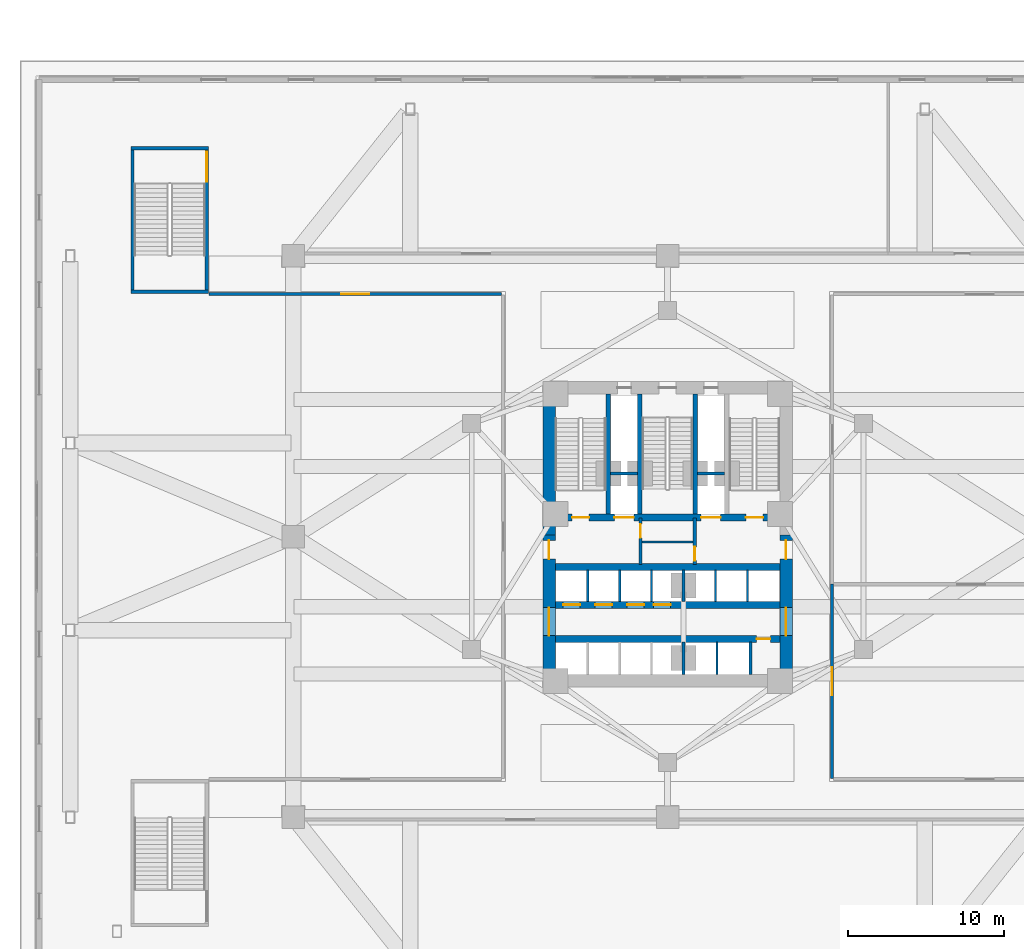
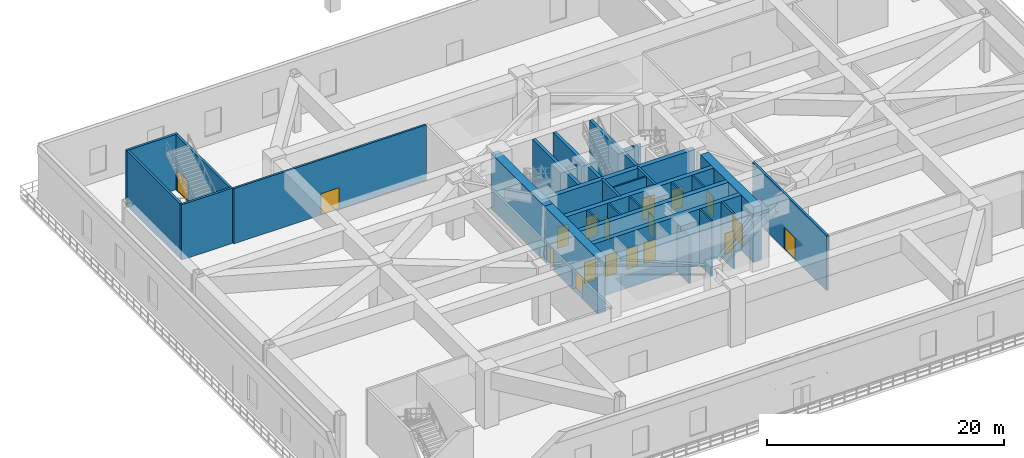
# One storey, part 12 of 25: 30 walls, 18 doors, 18 openings.
"""IFC4 building model written with IfcOpenShell, lengths in metres."""

from ifc_helpers import new_model, si_unit, direction, frame, frame_2d, origin, place, context, subcontext, project, spatial, rectangle, extrude, material, layer, layer_set, type_object, element, fill, save


model = new_model("IFC4")

# Units and contexts
model_context = context("Model", 3, precision=1e-05, world=origin(), true_north=direction((0.0, 1.0)))
body_context = subcontext(model_context, "Body", "Model", "MODEL_VIEW")
ifc_project = project(units=[si_unit("LENGTHUNIT", "METRE"), si_unit("AREAUNIT", "SQUARE_METRE"), si_unit("VOLUMEUNIT", "CUBIC_METRE"), si_unit("PLANEANGLEUNIT", "RADIAN"), si_unit("MASSUNIT", "GRAM", prefix="KILO")], contexts=[model_context])

# Site, building, storey
site_placement = place(None, origin())
site = spatial("IfcSite", under=ifc_project, at=site_placement, CompositionType="ELEMENT")
building_placement = place(site_placement, origin())
building = spatial("IfcBuilding", under=site, at=building_placement, Name="Apsidion Concourse Tower", CompositionType="ELEMENT")
storey_placement = place(building_placement, frame((0.0, 0.0, 11.5)))
storey = spatial("IfcBuildingStorey", under=building, at=storey_placement, Name="L02", CompositionType="ELEMENT", Elevation=11.5)

# Walls
ifc_material_1 = material(Name="Gypsum plasterboard partition")
ifc_layer_1 = layer(ifc_material_1, 0.14990234375)
ifc_layer_set_1 = layer_set([ifc_layer_1], Name="Gypsum plasterboard partition")
wall_type_1 = type_object("IfcWallType", Name="WL-INT-PAR-150", PredefinedType="PARTITIONING", material=ifc_layer_set_1)
for number, where, z_axis, x_axis, name in (
    (1, (-5.125, -4.179931640625, 0.0), (0.0, 0.0, 1.0), (0.0, 1.0, 0.0), "L02 Interior Partition WL-L02-B1DIV-1"),
    (2, (-3.074951171875, -4.179931640625, 0.0), (0.0, 0.0, 1.0), (0.0, 1.0, 0.0), "L02 Interior Partition WL-L02-B1DIV-2"),
    (3, (-1.02490234375, -4.179931640625, 0.0), (0.0, 0.0, 1.0), (0.0, 1.0, 0.0), "L02 Interior Partition WL-L02-B1DIV-3"),
    (4, (3.074951171875, -4.179931640625, 0.0), (0.0, 0.0, 1.0), (0.0, 1.0, 0.0), "L02 Interior Partition WL-L02-B3DIV-1"),
    (5, (5.125, -4.179931640625, 0.0), (0.0, 0.0, 1.0), (0.0, 1.0, 0.0), "L02 Interior Partition WL-L02-B3DIV-2"),
):
    element("IfcWall", number, at=place(storey_placement, frame(where, z_axis=z_axis, x_axis=x_axis)), inside=storey, type_object=wall_type_1, Name=name, PredefinedType="PARTITIONING", context=body_context, shape_type="SweptSolid", body=[
        extrude(rectangle(XDim=2.030029296875, YDim=0.14990234375, at=frame_2d((1.01513671875, 0.0))), origin(), (0.0, 0.0, 1.0), 5.699951171875),
    ])
wall_1_placement = place(storey_placement, frame((3.175048828125, -8.85009765625, 0.0), z_axis=(0.0, 0.0, 1.0), x_axis=(0.0, 1.0, 0.0)))
element("IfcWall", 6, at=wall_1_placement, inside=storey, type_object=wall_type_1, Name="L02 Interior Partition WL-L02-SHDIV-1", PredefinedType="PARTITIONING", context=body_context, shape_type="SweptSolid", body=[
    extrude(rectangle(XDim=2.080078125, YDim=0.14990234375, at=frame_2d((1.0400390625, 0.0))), origin(), (0.0, 0.0, 1.0), 5.699951171875),
])
wall_2_placement = place(storey_placement, frame((-1.6298828125, -0.35009765625, 0.0), z_axis=(0.0, 0.0, 1.0), x_axis=(1.0, 0.0, 0.0)))
element("IfcWall", 7, at=wall_2_placement, inside=storey, type_object=wall_type_1, Name="L02 Interior Partition WL-L02-K2H", PredefinedType="PARTITIONING", context=body_context, shape_type="SweptSolid", body=[
    extrude(rectangle(XDim=3.259765625, YDim=0.14990234375, at=frame_2d((1.6298828125, 0.0))), origin(), (0.0, 0.0, 1.0), 5.699951171875),
])
ifc_layer_2 = layer(ifc_material_1, 0.179931640625)
ifc_layer_set_2 = layer_set([ifc_layer_2], Name="Gypsum plasterboard partition")
wall_type_2 = type_object("IfcWallType", Name="WL-INT-PAR-180", PredefinedType="PARTITIONING", material=ifc_layer_set_2)
wall_3_placement = place(storey_placement, frame((1.02490234375, -4.179931640625, 0.0), z_axis=(0.0, 0.0, 1.0), x_axis=(0.0, 1.0, 0.0)))
element("IfcWall", 8, at=wall_3_placement, inside=storey, type_object=wall_type_2, Name="L02 Interior Partition WL-L02-B1END", PredefinedType="PARTITIONING", context=body_context, shape_type="SweptSolid", body=[
    extrude(rectangle(XDim=2.030029296875, YDim=0.179931640625, at=frame_2d((1.01513671875, 0.0))), origin(), (0.0, 0.0, 1.0), 4.748046875),
])
wall_4_placement = place(storey_placement, frame((1.02490234375, -8.85009765625, 0.0), z_axis=(0.0, 0.0, 1.0), x_axis=(0.0, 1.0, 0.0)))
element("IfcWall", 9, at=wall_4_placement, inside=storey, type_object=wall_type_2, Name="L02 Interior Partition WL-L02-B2END", PredefinedType="PARTITIONING", context=body_context, shape_type="SweptSolid", body=[
    extrude(rectangle(XDim=2.080078125, YDim=0.179931640625, at=frame_2d((1.0400390625, 0.0))), origin(), (0.0, 0.0, 1.0), 4.748046875),
])
wall_5_placement = place(storey_placement, frame((5.324951171875, -8.85009765625, 0.0), z_axis=(0.0, 0.0, 1.0), x_axis=(0.0, 1.0, 0.0)))
element("IfcWall", 10, at=wall_5_placement, inside=storey, type_object=wall_type_2, Name="L02 Interior Partition WL-L02-SHDIV-2", PredefinedType="PARTITIONING", context=body_context, shape_type="SweptSolid", body=[
    extrude(rectangle(XDim=2.080078125, YDim=0.179931640625, at=frame_2d((1.0400390625, 0.0))), origin(), (0.0, 0.0, 1.0), 5.699951171875),
])
ifc_layer_3 = layer(ifc_material_1, 0.199951171875)
ifc_layer_set_3 = layer_set([ifc_layer_3], Name="Gypsum plasterboard partition")
wall_type_3 = type_object("IfcWallType", Name="WL-INT-PAR-200", PredefinedType="PARTITIONING", material=ifc_layer_set_3)
for number, where, z_axis, x_axis, name in (
    (11, (-3.64990234375, 4.050048828125, 0.0), (0.0, 0.0, 1.0), (1.0, 0.0, 0.0), "L02 Interior Partition WL-L02-FF1-N"),
    (12, (1.919921875, 4.050048828125, 0.0), (0.0, 0.0, 1.0), (1.0, 0.0, 0.0), "L02 Interior Partition WL-L02-FF2-N"),
):
    element("IfcWall", number, at=place(storey_placement, frame(where, z_axis=z_axis, x_axis=x_axis)), inside=storey, type_object=wall_type_3, Name=name, PredefinedType="PARTITIONING", context=body_context, shape_type="SweptSolid", body=[
        extrude(rectangle(XDim=1.72998046875, YDim=0.199951171875, at=frame_2d((0.864990234375, 0.0))), origin(), (0.0, 0.0, 1.0), 5.699951171875),
    ])

# Wall, opening, door
wall_6_placement = place(storey_placement, frame((-1.739990234375, -1.780029296875, 0.0), z_axis=(0.0, 0.0, 1.0), x_axis=(0.0, 1.0, 0.0)))
wall_6 = element("IfcWall", 13, at=wall_6_placement, inside=storey, type_object=wall_type_3, Name="L02 Interior Partition WL-L02-FF1-E", PredefinedType="PARTITIONING", context=body_context, shape_type="SweptSolid", body=[
    extrude(rectangle(XDim=2.97998046875, YDim=0.199951171875, at=frame_2d((1.489990234375, 0.0))), origin(), (0.0, 0.0, 1.0), 5.699951171875),
])
opening_1_placement = place(wall_6_placement, frame((1.68994140625, 0.0, 0.0)))
opening_1 = element("IfcOpeningElement", 14, at=opening_1_placement, cuts=wall_6, Name="Opening D-05L", PredefinedType="OPENING", context=body_context, shape_type="SweptSolid", body=[
    extrude(rectangle(XDim=0.8798828125, YDim=2.14990234375, at=frame_2d((0.43994140625, 1.074951171875))), frame((0.0, 0.10986328125, 0.0), z_axis=(0.0, -1.0, 0.0), x_axis=(1.0, 0.0, 0.0)), (0.0, 0.0, 1.0), 0.219970703125),
])
ifc_material_2 = material(Name="Brushed stainless steel 316", Category="steel")
door_type_1 = type_object("IfcDoorType", Name="DR-INT-D05L", OperationType="SINGLE_SWING_LEFT", PredefinedType="DOOR", material=ifc_material_2)
door_1_placement = place(opening_1_placement, origin())
door_1 = element("IfcDoor", 15, at=door_1_placement, inside=storey, type_object=door_type_1, Name="L02 Core Staff WC Door", OperationType="SINGLE_SWING_LEFT", OverallHeight=2.14990234375, OverallWidth=0.8798828125, PredefinedType="DOOR", context=body_context, shape_type="SweptSolid", body=[
    extrude(rectangle(XDim=0.8798828125, YDim=2.14990234375, at=frame_2d((0.43994140625, 1.074951171875))), frame((0.0, 0.02490234375, 0.0), z_axis=(0.0, -1.0, 0.0), x_axis=(1.0, 0.0, 0.0)), (0.0, 0.0, 1.0), 0.050048828125),
])
fill(opening_1, door_1)

wall_7_placement = place(storey_placement, frame((1.739990234375, -1.780029296875, 0.0), z_axis=(0.0, 0.0, 1.0), x_axis=(0.0, 1.0, 0.0)))
wall_7 = element("IfcWall", 16, at=wall_7_placement, inside=storey, type_object=wall_type_3, Name="L02 Interior Partition WL-L02-FF2-W", PredefinedType="PARTITIONING", context=body_context, shape_type="SweptSolid", body=[
    extrude(rectangle(XDim=2.97998046875, YDim=0.199951171875, at=frame_2d((1.489990234375, 0.0))), origin(), (0.0, 0.0, 1.0), 5.699951171875),
])
opening_2_placement = place(wall_7_placement, frame((0.239990234375, 0.0, 0.0)))
opening_2 = element("IfcOpeningElement", 17, at=opening_2_placement, cuts=wall_7, Name="Opening D-05R", PredefinedType="OPENING", context=body_context, shape_type="SweptSolid", body=[
    extrude(rectangle(XDim=0.8798828125, YDim=2.14990234375, at=frame_2d((0.43994140625, 1.074951171875))), frame((0.0, 0.10986328125, 0.0), z_axis=(0.0, -1.0, 0.0), x_axis=(1.0, 0.0, 0.0)), (0.0, 0.0, 1.0), 0.219970703125),
])
door_type_2 = type_object("IfcDoorType", Name="DR-INT-D05R", OperationType="SINGLE_SWING_RIGHT", PredefinedType="DOOR", material=ifc_material_2)
door_2_placement = place(opening_2_placement, origin())
door_2 = element("IfcDoor", 18, at=door_2_placement, inside=storey, type_object=door_type_2, Name="L02 Core Supply Store Door", OperationType="SINGLE_SWING_RIGHT", OverallHeight=2.14990234375, OverallWidth=0.8798828125, PredefinedType="DOOR", context=body_context, shape_type="SweptSolid", body=[
    extrude(rectangle(XDim=0.8798828125, YDim=2.14990234375, at=frame_2d((0.43994140625, 1.074951171875))), frame((0.0, 0.02490234375, 0.0), z_axis=(0.0, -1.0, 0.0), x_axis=(1.0, 0.0, 0.0)), (0.0, 0.0, 1.0), 0.050048828125),
])
fill(opening_2, door_2)

wall_8_placement = place(storey_placement, frame((10.550048828125, -15.5, 0.0), z_axis=(0.0, 0.0, 1.0), x_axis=(0.0, 1.0, 0.0)))
wall_8 = element("IfcWall", 19, at=wall_8_placement, inside=storey, type_object=wall_type_3, Name="L02 Interior Partition WL-L02-E1", PredefinedType="PARTITIONING", context=body_context, shape_type="SweptSolid", body=[
    extrude(rectangle(XDim=12.449951171875, YDim=0.199951171875, at=frame_2d((6.22509765625, 0.0))), origin(), (0.0, 0.0, 1.0), 5.699951171875),
])
opening_3_placement = place(wall_8_placement, frame((5.324951171875, 0.0, 0.0)))
opening_3 = element("IfcOpeningElement", 20, at=opening_3_placement, cuts=wall_8, Name="Opening D-06D", PredefinedType="OPENING", context=body_context, shape_type="SweptSolid", body=[
    extrude(rectangle(XDim=1.800048828125, YDim=2.199951171875, at=frame_2d((0.89990234375, 1.10009765625))), frame((0.0, 0.10986328125, 0.0), z_axis=(0.0, -1.0, 0.0), x_axis=(1.0, 0.0, 0.0)), (0.0, 0.0, 1.0), 0.219970703125),
])
door_type_3 = type_object("IfcDoorType", Name="DR-INT-D06D", OperationType="DOUBLE_DOOR_SINGLE_SWING", PredefinedType="DOOR", material=ifc_material_2)
door_3_placement = place(opening_3_placement, origin())
door_3 = element("IfcDoor", 21, at=door_3_placement, inside=storey, type_object=door_type_3, Name="L02 Convention Door WL-L02-E1", OperationType="DOUBLE_DOOR_SINGLE_SWING", OverallHeight=2.199951171875, OverallWidth=1.800048828125, PredefinedType="DOOR", context=body_context, shape_type="SweptSolid", body=[
    extrude(rectangle(XDim=1.800048828125, YDim=2.199951171875, at=frame_2d((0.89990234375, 1.10009765625))), frame((0.0, 0.02490234375, 0.0), z_axis=(0.0, -1.0, 0.0), x_axis=(1.0, 0.0, 0.0)), (0.0, 0.0, 1.0), 0.050048828125),
])
fill(opening_3, door_3)

wall_9_placement = place(storey_placement, frame((-29.39990234375, 15.550048828125, 0.0), z_axis=(0.0, 0.0, 1.0), x_axis=(1.0, 0.0, 0.0)))
wall_9 = element("IfcWall", 22, at=wall_9_placement, inside=storey, type_object=wall_type_3, Name="L02 Interior Partition WL-L02-N1", PredefinedType="PARTITIONING", context=body_context, shape_type="SweptSolid", body=[
    extrude(rectangle(XDim=18.75, YDim=0.199951171875, at=frame_2d((9.375, 0.0))), origin(), (0.0, 0.0, 1.0), 5.699951171875),
])
opening_4_placement = place(wall_9_placement, frame((8.47509765625, 0.0, 0.0)))
opening_4 = element("IfcOpeningElement", 23, at=opening_4_placement, cuts=wall_9, Name="Opening D-06D", PredefinedType="OPENING", context=body_context, shape_type="SweptSolid", body=[
    extrude(rectangle(XDim=1.800048828125, YDim=2.199951171875, at=frame_2d((0.89990234375, 1.10009765625))), frame((0.0, 0.10986328125, 0.0), z_axis=(0.0, -1.0, 0.0), x_axis=(1.0, 0.0, 0.0)), (0.0, 0.0, 1.0), 0.219970703125),
])
door_4_placement = place(opening_4_placement, origin())
door_4 = element("IfcDoor", 24, at=door_4_placement, inside=storey, type_object=door_type_3, Name="L02 Convention Door WL-L02-N1", OperationType="DOUBLE_DOOR_SINGLE_SWING", OverallHeight=2.199951171875, OverallWidth=1.800048828125, PredefinedType="DOOR", context=body_context, shape_type="SweptSolid", body=[
    extrude(rectangle(XDim=1.800048828125, YDim=2.199951171875, at=frame_2d((0.89990234375, 1.10009765625))), frame((0.0, 0.02490234375, 0.0), z_axis=(0.0, -1.0, 0.0), x_axis=(1.0, 0.0, 0.0)), (0.0, 0.0, 1.0), 0.050048828125),
])
fill(opening_4, door_4)

# Walls
ifc_material_3 = material(Name="Concrete C50/60", Category="concrete")
ifc_layer_4 = layer(ifc_material_3, 0.219970703125)
ifc_layer_set_4 = layer_set([ifc_layer_4], Name="Concrete C50/60")
wall_type_4 = type_object("IfcWallType", Name="WL-SH-220", PredefinedType="SHEAR", material=ifc_layer_set_4)
for number, where, z_axis, x_axis, name in (
    (25, (-34.419921875, 15.68994140625, 0.0), (0.0, 0.0, 1.0), (1.0, 0.0, 0.0), "L02 Podium Stair ST-P3 Core Shear Wall S"),
    (26, (-34.419921875, 24.909912109375, 0.0), (0.0, 0.0, 1.0), (1.0, 0.0, 0.0), "L02 Podium Stair ST-P3 Core Shear Wall N"),
):
    element("IfcWall", number, at=place(storey_placement, frame(where, z_axis=z_axis, x_axis=x_axis)), inside=storey, type_object=wall_type_4, Name=name, PredefinedType="SHEAR", context=body_context, shape_type="SweptSolid", body=[
        extrude(rectangle(XDim=4.989990234375, YDim=0.219970703125, at=frame_2d((2.4951171875, 0.0))), origin(), (0.0, 0.0, 1.0), 5.699951171875),
    ])
wall_10_placement = place(storey_placement, frame((-34.31005859375, 15.800048828125, 0.0), z_axis=(0.0, 0.0, 1.0), x_axis=(0.0, 1.0, 0.0)))
element("IfcWall", 27, at=wall_10_placement, inside=storey, type_object=wall_type_4, Name="L02 Podium Stair ST-P3 Core Shear Wall W", PredefinedType="SHEAR", context=body_context, shape_type="SweptSolid", body=[
    extrude(rectangle(XDim=9.0, YDim=0.219970703125, at=frame_2d((4.5, 0.0))), origin(), (0.0, 0.0, 1.0), 5.699951171875),
])

# Wall, opening, door
wall_11_placement = place(storey_placement, frame((-29.5400390625, 15.800048828125, 0.0), z_axis=(0.0, 0.0, 1.0), x_axis=(0.0, 1.0, 0.0)))
wall_11 = element("IfcWall", 28, at=wall_11_placement, inside=storey, type_object=wall_type_4, Name="L02 Podium Stair ST-P3 Core Shear Wall E", PredefinedType="SHEAR", context=body_context, shape_type="SweptSolid", body=[
    extrude(rectangle(XDim=9.0, YDim=0.219970703125, at=frame_2d((4.5, 0.0))), origin(), (0.0, 0.0, 1.0), 5.699951171875),
])
opening_5_placement = place(wall_11_placement, frame((6.9599609375, 0.0, 0.0)))
opening_5 = element("IfcOpeningElement", 29, at=opening_5_placement, cuts=wall_11, Name="Opening D-07D", PredefinedType="OPENING", context=body_context, shape_type="SweptSolid", body=[
    extrude(rectangle(XDim=1.89990234375, YDim=2.199951171875, at=frame_2d((0.949951171875, 1.10009765625))), frame((0.0, 0.1201171875, 0.0), z_axis=(0.0, -1.0, 0.0), x_axis=(1.0, 0.0, 0.0)), (0.0, 0.0, 1.0), 0.239990234375),
])
door_type_4 = type_object("IfcDoorType", Name="DR-INT-D07D", OperationType="DOUBLE_DOOR_SINGLE_SWING", PredefinedType="DOOR", material=ifc_material_2)
door_5_placement = place(opening_5_placement, origin())
door_5 = element("IfcDoor", 30, at=door_5_placement, inside=storey, type_object=door_type_4, Name="L02 Podium Exit Stair ST-P3 Entry Door", OperationType="DOUBLE_DOOR_SINGLE_SWING", OverallHeight=2.199951171875, OverallWidth=1.89990234375, PredefinedType="DOOR", context=body_context, shape_type="SweptSolid", body=[
    extrude(rectangle(XDim=1.89990234375, YDim=2.199951171875, at=frame_2d((0.949951171875, 1.10009765625))), frame((0.0, 0.02490234375, 0.0), z_axis=(0.0, -1.0, 0.0), x_axis=(1.0, 0.0, 0.0)), (0.0, 0.0, 1.0), 0.050048828125),
])
fill(opening_5, door_5)

# Walls
ifc_layer_5 = layer(ifc_material_3, 0.300048828125)
ifc_layer_set_5 = layer_set([ifc_layer_5], Name="Concrete C50/60")
wall_type_5 = type_object("IfcWallType", Name="WL-SH-300", PredefinedType="SHEAR", material=ifc_layer_set_5)
for number, where, z_axis, x_axis, name in (
    (31, (-3.800048828125, 1.449951171875, 0.0), (0.0, 0.0, 1.0), (0.0, 1.0, 0.0), "L02 Central Core Shear Wall V1"),
    (32, (-1.77490234375, 1.449951171875, 0.0), (0.0, 0.0, 1.0), (0.0, 1.0, 0.0), "L02 Central Core Shear Wall V2"),
    (33, (1.77490234375, 1.449951171875, 0.0), (0.0, 0.0, 1.0), (0.0, 1.0, 0.0), "L02 Central Core Shear Wall V3"),
):
    element("IfcWall", number, at=place(storey_placement, frame(where, z_axis=z_axis, x_axis=x_axis)), inside=storey, type_object=wall_type_5, Name=name, PredefinedType="SHEAR", context=body_context, shape_type="SweptSolid", body=[
        extrude(rectangle(XDim=7.699951171875, YDim=0.300048828125, at=frame_2d((3.85009765625, 0.0))), origin(), (0.0, 0.0, 1.0), 5.699951171875),
    ])

# Wall, openings, doors
ifc_material_4 = material(Name="Concrete C60/75", Category="concrete")
ifc_layer_6 = layer(ifc_material_4, 0.449951171875)
ifc_layer_set_6 = layer_set([ifc_layer_6], Name="Concrete C60/75")
wall_type_6 = type_object("IfcWallType", Name="WL-SH-450", PredefinedType="SHEAR", material=ifc_layer_set_6)
wall_12_placement = place(storey_placement, frame((-7.199951171875, 1.22509765625, 0.0), z_axis=(0.0, 0.0, 1.0), x_axis=(1.0, 0.0, 0.0)))
wall_12 = element("IfcWall", 34, at=wall_12_placement, inside=storey, type_object=wall_type_6, Name="L02 Central Core Shear Wall M1", PredefinedType="SHEAR", context=body_context, shape_type="SweptSolid", body=[
    extrude(rectangle(XDim=14.39990234375, YDim=0.449951171875, at=frame_2d((7.199951171875, 0.0))), origin(), (0.0, 0.0, 1.0), 5.699951171875),
])
opening_6_placement = place(wall_12_placement, frame((3.794921875, 0.0, 0.0)))
opening_6 = element("IfcOpeningElement", 35, at=opening_6_placement, cuts=wall_12, Name="Opening LD-FF", PredefinedType="OPENING", context=body_context, shape_type="SweptSolid", body=[
    extrude(rectangle(XDim=1.25, YDim=2.25, at=frame_2d((0.625, 1.125))), frame((0.0, 0.23486328125, 0.0), z_axis=(0.0, -1.0, 0.0), x_axis=(1.0, 0.0, 0.0)), (0.0, 0.0, 1.0), 0.469970703125),
])
opening_7_placement = place(wall_12_placement, frame((9.35498046875, 0.0, 0.0)))
opening_7 = element("IfcOpeningElement", 36, at=opening_7_placement, cuts=wall_12, Name="Opening LD-FF", PredefinedType="OPENING", context=body_context, shape_type="SweptSolid", body=[
    extrude(rectangle(XDim=1.25, YDim=2.25, at=frame_2d((0.625, 1.125))), frame((0.0, 0.23486328125, 0.0), z_axis=(0.0, -1.0, 0.0), x_axis=(1.0, 0.0, 0.0)), (0.0, 0.0, 1.0), 0.469970703125),
])
opening_8_placement = place(wall_12_placement, frame((1.074951171875, 0.0, 0.0)))
opening_8 = element("IfcOpeningElement", 37, at=opening_8_placement, cuts=wall_12, Name="Opening D-STL", PredefinedType="OPENING", context=body_context, shape_type="SweptSolid", body=[
    extrude(rectangle(XDim=1.10009765625, YDim=2.14990234375, at=frame_2d((0.550048828125, 1.074951171875))), frame((0.0, 0.23486328125, 0.0), z_axis=(0.0, -1.0, 0.0), x_axis=(1.0, 0.0, 0.0)), (0.0, 0.0, 1.0), 0.469970703125),
])
opening_9_placement = place(wall_12_placement, frame((12.22509765625, 0.0, 0.0)))
opening_9 = element("IfcOpeningElement", 38, at=opening_9_placement, cuts=wall_12, Name="Opening D-STR", PredefinedType="OPENING", context=body_context, shape_type="SweptSolid", body=[
    extrude(rectangle(XDim=1.10009765625, YDim=2.14990234375, at=frame_2d((0.550048828125, 1.074951171875))), frame((0.0, 0.23486328125, 0.0), z_axis=(0.0, -1.0, 0.0), x_axis=(1.0, 0.0, 0.0)), (0.0, 0.0, 1.0), 0.469970703125),
])
door_type_5 = type_object("IfcDoorType", Name="DR-INT-ST1L", OperationType="SINGLE_SWING_LEFT", PredefinedType="DOOR", material=ifc_material_2)
door_6_placement = place(opening_8_placement, origin())
door_6 = element("IfcDoor", 39, at=door_6_placement, inside=storey, type_object=door_type_5, Name="L02 Core Exit Stair ST1 Door", OperationType="SINGLE_SWING_LEFT", OverallHeight=2.14990234375, OverallWidth=1.10009765625, PredefinedType="DOOR", context=body_context, shape_type="SweptSolid", body=[
    extrude(rectangle(XDim=1.10009765625, YDim=2.14990234375, at=frame_2d((0.550048828125, 1.074951171875))), frame((0.0, 0.02490234375, 0.0), z_axis=(0.0, -1.0, 0.0), x_axis=(1.0, 0.0, 0.0)), (0.0, 0.0, 1.0), 0.050048828125),
])
fill(opening_8, door_6)
door_type_6 = type_object("IfcDoorType", Name="DR-INT-ST1R", OperationType="SINGLE_SWING_RIGHT", PredefinedType="DOOR", material=ifc_material_2)
door_7_placement = place(opening_9_placement, origin())
door_7 = element("IfcDoor", 40, at=door_7_placement, inside=storey, type_object=door_type_6, Name="L02 Core Exit Stair ST2 Door", OperationType="SINGLE_SWING_RIGHT", OverallHeight=2.14990234375, OverallWidth=1.10009765625, PredefinedType="DOOR", context=body_context, shape_type="SweptSolid", body=[
    extrude(rectangle(XDim=1.10009765625, YDim=2.14990234375, at=frame_2d((0.550048828125, 1.074951171875))), frame((0.0, 0.02490234375, 0.0), z_axis=(0.0, -1.0, 0.0), x_axis=(1.0, 0.0, 0.0)), (0.0, 0.0, 1.0), 0.050048828125),
])
fill(opening_9, door_7)
door_type_7 = type_object("IfcDoorType", Name="DR-LD-FSAE", OperationType="DOUBLE_DOOR_SLIDING", PredefinedType="DOOR", material=ifc_material_2)
door_8_placement = place(opening_6_placement, origin())
door_8 = element("IfcDoor", 41, at=door_8_placement, inside=storey, type_object=door_type_7, Name="L02 Lift Landing Door FF1", OperationType="DOUBLE_DOOR_SLIDING", OverallHeight=2.25, OverallWidth=1.25, PredefinedType="DOOR", context=body_context, shape_type="SweptSolid", body=[
    extrude(rectangle(XDim=1.25, YDim=2.25, at=frame_2d((0.625, 1.125))), frame((0.0, 0.02490234375, 0.0), z_axis=(0.0, -1.0, 0.0), x_axis=(1.0, 0.0, 0.0)), (0.0, 0.0, 1.0), 0.050048828125),
])
fill(opening_6, door_8)
door_9_placement = place(opening_7_placement, origin())
door_9 = element("IfcDoor", 42, at=door_9_placement, inside=storey, type_object=door_type_7, Name="L02 Lift Landing Door FF2", OperationType="DOUBLE_DOOR_SLIDING", OverallHeight=2.25, OverallWidth=1.25, PredefinedType="DOOR", context=body_context, shape_type="SweptSolid", body=[
    extrude(rectangle(XDim=1.25, YDim=2.25, at=frame_2d((0.625, 1.125))), frame((0.0, 0.02490234375, 0.0), z_axis=(0.0, -1.0, 0.0), x_axis=(1.0, 0.0, 0.0)), (0.0, 0.0, 1.0), 0.050048828125),
])
fill(opening_7, door_9)

# Wall
wall_13_placement = place(storey_placement, frame((-7.199951171875, -1.949951171875, 0.0), z_axis=(0.0, 0.0, 1.0), x_axis=(1.0, 0.0, 0.0)))
element("IfcWall", 43, at=wall_13_placement, inside=storey, type_object=wall_type_6, Name="L02 Central Core Shear Wall M2", PredefinedType="SHEAR", context=body_context, shape_type="SweptSolid", body=[
    extrude(rectangle(XDim=14.39990234375, YDim=0.449951171875, at=frame_2d((7.199951171875, 0.0))), origin(), (0.0, 0.0, 1.0), 5.699951171875),
])

# Wall, openings, doors
wall_14_placement = place(storey_placement, frame((-7.199951171875, -4.3798828125, 0.0), z_axis=(0.0, 0.0, 1.0), x_axis=(1.0, 0.0, 0.0)))
wall_14 = element("IfcWall", 44, at=wall_14_placement, inside=storey, type_object=wall_type_6, Name="L02 Central Core Shear Wall LA", PredefinedType="SHEAR", context=body_context, shape_type="SweptSolid", body=[
    extrude(rectangle(XDim=14.39990234375, YDim=0.449951171875, at=frame_2d((7.199951171875, 0.0))), origin(), (0.0, 0.0, 1.0), 5.699951171875),
])
opening_10_placement = place(wall_14_placement, frame((0.5, 0.0, 0.0)))
opening_10 = element("IfcOpeningElement", 45, at=opening_10_placement, cuts=wall_14, Name="Opening LD-P1", PredefinedType="OPENING", context=body_context, shape_type="SweptSolid", body=[
    extrude(rectangle(XDim=1.10009765625, YDim=2.199951171875, at=frame_2d((0.550048828125, 1.10009765625))), frame((0.0, 0.23486328125, 0.0), z_axis=(0.0, -1.0, 0.0), x_axis=(1.0, 0.0, 0.0)), (0.0, 0.0, 1.0), 0.469970703125),
])
opening_11_placement = place(wall_14_placement, frame((2.550048828125, 0.0, 0.0)))
opening_11 = element("IfcOpeningElement", 46, at=opening_11_placement, cuts=wall_14, Name="Opening LD-P1", PredefinedType="OPENING", context=body_context, shape_type="SweptSolid", body=[
    extrude(rectangle(XDim=1.10009765625, YDim=2.199951171875, at=frame_2d((0.550048828125, 1.10009765625))), frame((0.0, 0.23486328125, 0.0), z_axis=(0.0, -1.0, 0.0), x_axis=(1.0, 0.0, 0.0)), (0.0, 0.0, 1.0), 0.469970703125),
])
opening_12_placement = place(wall_14_placement, frame((4.60009765625, 0.0, 0.0)))
opening_12 = element("IfcOpeningElement", 47, at=opening_12_placement, cuts=wall_14, Name="Opening LD-P1", PredefinedType="OPENING", context=body_context, shape_type="SweptSolid", body=[
    extrude(rectangle(XDim=1.10009765625, YDim=2.199951171875, at=frame_2d((0.550048828125, 1.10009765625))), frame((0.0, 0.23486328125, 0.0), z_axis=(0.0, -1.0, 0.0), x_axis=(1.0, 0.0, 0.0)), (0.0, 0.0, 1.0), 0.469970703125),
])
opening_13_placement = place(wall_14_placement, frame((6.300048828125, 0.0, 0.0)))
opening_13 = element("IfcOpeningElement", 48, at=opening_13_placement, cuts=wall_14, Name="Opening LD-P1", PredefinedType="OPENING", context=body_context, shape_type="SweptSolid", body=[
    extrude(rectangle(XDim=1.10009765625, YDim=2.199951171875, at=frame_2d((0.550048828125, 1.10009765625))), frame((0.0, 0.23486328125, 0.0), z_axis=(0.0, -1.0, 0.0), x_axis=(1.0, 0.0, 0.0)), (0.0, 0.0, 1.0), 0.469970703125),
])
door_type_8 = type_object("IfcDoorType", Name="DR-LD-PASS", OperationType="DOUBLE_DOOR_SLIDING", PredefinedType="DOOR", material=ifc_material_2)
door_10_placement = place(opening_10_placement, origin())
door_10 = element("IfcDoor", 49, at=door_10_placement, inside=storey, type_object=door_type_8, Name="L02 Lift Landing Door P1", OperationType="DOUBLE_DOOR_SLIDING", OverallHeight=2.199951171875, OverallWidth=1.10009765625, PredefinedType="DOOR", context=body_context, shape_type="SweptSolid", body=[
    extrude(rectangle(XDim=1.10009765625, YDim=2.199951171875, at=frame_2d((0.550048828125, 1.10009765625))), frame((0.0, 0.02490234375, 0.0), z_axis=(0.0, -1.0, 0.0), x_axis=(1.0, 0.0, 0.0)), (0.0, 0.0, 1.0), 0.050048828125),
])
fill(opening_10, door_10)
door_11_placement = place(opening_11_placement, origin())
door_11 = element("IfcDoor", 50, at=door_11_placement, inside=storey, type_object=door_type_8, Name="L02 Lift Landing Door P2", OperationType="DOUBLE_DOOR_SLIDING", OverallHeight=2.199951171875, OverallWidth=1.10009765625, PredefinedType="DOOR", context=body_context, shape_type="SweptSolid", body=[
    extrude(rectangle(XDim=1.10009765625, YDim=2.199951171875, at=frame_2d((0.550048828125, 1.10009765625))), frame((0.0, 0.02490234375, 0.0), z_axis=(0.0, -1.0, 0.0), x_axis=(1.0, 0.0, 0.0)), (0.0, 0.0, 1.0), 0.050048828125),
])
fill(opening_11, door_11)
door_12_placement = place(opening_12_placement, origin())
door_12 = element("IfcDoor", 51, at=door_12_placement, inside=storey, type_object=door_type_8, Name="L02 Lift Landing Door P3", OperationType="DOUBLE_DOOR_SLIDING", OverallHeight=2.199951171875, OverallWidth=1.10009765625, PredefinedType="DOOR", context=body_context, shape_type="SweptSolid", body=[
    extrude(rectangle(XDim=1.10009765625, YDim=2.199951171875, at=frame_2d((0.550048828125, 1.10009765625))), frame((0.0, 0.02490234375, 0.0), z_axis=(0.0, -1.0, 0.0), x_axis=(1.0, 0.0, 0.0)), (0.0, 0.0, 1.0), 0.050048828125),
])
fill(opening_12, door_12)
door_13_placement = place(opening_13_placement, origin())
door_13 = element("IfcDoor", 52, at=door_13_placement, inside=storey, type_object=door_type_8, Name="L02 Lift Landing Door P4", OperationType="DOUBLE_DOOR_SLIDING", OverallHeight=2.199951171875, OverallWidth=1.10009765625, PredefinedType="DOOR", context=body_context, shape_type="SweptSolid", body=[
    extrude(rectangle(XDim=1.10009765625, YDim=2.199951171875, at=frame_2d((0.550048828125, 1.10009765625))), frame((0.0, 0.02490234375, 0.0), z_axis=(0.0, -1.0, 0.0), x_axis=(1.0, 0.0, 0.0)), (0.0, 0.0, 1.0), 0.050048828125),
])
fill(opening_13, door_13)

# Wall, opening, door
wall_15_placement = place(storey_placement, frame((-7.199951171875, -6.570068359375, 0.0), z_axis=(0.0, 0.0, 1.0), x_axis=(1.0, 0.0, 0.0)))
wall_15 = element("IfcWall", 53, at=wall_15_placement, inside=storey, type_object=wall_type_6, Name="L02 Central Core Shear Wall LB", PredefinedType="SHEAR", context=body_context, shape_type="SweptSolid", body=[
    extrude(rectangle(XDim=14.39990234375, YDim=0.449951171875, at=frame_2d((7.199951171875, 0.0))), origin(), (0.0, 0.0, 1.0), 5.699951171875),
])
opening_14_placement = place(wall_15_placement, frame((12.909912109375, 0.0, 0.0)))
opening_14 = element("IfcOpeningElement", 54, at=opening_14_placement, cuts=wall_15, Name="Opening D-05L", PredefinedType="OPENING", context=body_context, shape_type="SweptSolid", body=[
    extrude(rectangle(XDim=0.8798828125, YDim=2.14990234375, at=frame_2d((0.43994140625, 1.074951171875))), frame((0.0, 0.23486328125, 0.0), z_axis=(0.0, -1.0, 0.0), x_axis=(1.0, 0.0, 0.0)), (0.0, 0.0, 1.0), 0.469970703125),
])
door_14_placement = place(opening_14_placement, origin())
door_14 = element("IfcDoor", 55, at=door_14_placement, inside=storey, type_object=door_type_1, Name="L02 Cleaners Store Door", OperationType="SINGLE_SWING_LEFT", OverallHeight=2.14990234375, OverallWidth=0.8798828125, PredefinedType="DOOR", context=body_context, shape_type="SweptSolid", body=[
    extrude(rectangle(XDim=0.8798828125, YDim=2.14990234375, at=frame_2d((0.43994140625, 1.074951171875))), frame((0.0, 0.02490234375, 0.0), z_axis=(0.0, -1.0, 0.0), x_axis=(1.0, 0.0, 0.0)), (0.0, 0.0, 1.0), 0.050048828125),
])
fill(opening_14, door_14)

# Wall
ifc_layer_7 = layer(ifc_material_4, 0.800048828125)
ifc_layer_set_7 = layer_set([ifc_layer_7], Name="Concrete C60/75")
wall_type_7 = type_object("IfcWallType", Name="WL-SH-800", PredefinedType="SHEAR", material=ifc_layer_set_7)
wall_16_placement = place(storey_placement, frame((-7.60009765625, 0.10009765625, 0.0), z_axis=(0.0, 0.0, 1.0), x_axis=(0.0, 1.0, 0.0)))
element("IfcWall", 56, at=wall_16_placement, inside=storey, type_object=wall_type_7, Name="L02 Central Core Shear Wall WN", PredefinedType="SHEAR", context=body_context, shape_type="SweptSolid", body=[
    extrude(rectangle(XDim=9.0498046875, YDim=0.800048828125, at=frame_2d((4.52490234375, 0.0))), origin(), (0.0, 0.0, 1.0), 5.699951171875),
])

# Wall, openings, doors
wall_17_placement = place(storey_placement, frame((-7.60009765625, -8.85009765625, 0.0), z_axis=(0.0, 0.0, 1.0), x_axis=(0.0, 1.0, 0.0)))
wall_17 = element("IfcWall", 57, at=wall_17_placement, inside=storey, type_object=wall_type_7, Name="L02 Central Core Shear Wall WS", PredefinedType="SHEAR", context=body_context, shape_type="SweptSolid", body=[
    extrude(rectangle(XDim=8.9501953125, YDim=0.800048828125, at=frame_2d((4.47509765625, 0.0))), origin(), (0.0, 0.0, 1.0), 5.699951171875),
])
opening_15_placement = place(wall_17_placement, frame((2.489990234375, 0.0, 0.0)))
opening_15 = element("IfcOpeningElement", 58, at=opening_15_placement, cuts=wall_17, Name="Opening D-06D", PredefinedType="OPENING", context=body_context, shape_type="SweptSolid", body=[
    extrude(rectangle(XDim=1.800048828125, YDim=2.199951171875, at=frame_2d((0.89990234375, 1.10009765625))), frame((0.0, 0.41015625, 0.0), z_axis=(0.0, -1.0, 0.0), x_axis=(1.0, 0.0, 0.0)), (0.0, 0.0, 1.0), 0.820068359375),
])
opening_16_placement = place(wall_17_placement, frame((7.39990234375, 0.0, 0.0)))
opening_16 = element("IfcOpeningElement", 59, at=opening_16_placement, cuts=wall_17, Name="Opening D-FFL", PredefinedType="OPENING", context=body_context, shape_type="SweptSolid", body=[
    extrude(rectangle(XDim=1.199951171875, YDim=2.14990234375, at=frame_2d((0.60009765625, 1.074951171875))), frame((0.0, 0.41015625, 0.0), z_axis=(0.0, -1.0, 0.0), x_axis=(1.0, 0.0, 0.0)), (0.0, 0.0, 1.0), 0.820068359375),
])
door_15_placement = place(opening_15_placement, origin())
door_15 = element("IfcDoor", 60, at=door_15_placement, inside=storey, type_object=door_type_3, Name="L02 Passenger Lift Lobby WS Portal Door", OperationType="DOUBLE_DOOR_SINGLE_SWING", OverallHeight=2.199951171875, OverallWidth=1.800048828125, PredefinedType="DOOR", context=body_context, shape_type="SweptSolid", body=[
    extrude(rectangle(XDim=1.800048828125, YDim=2.199951171875, at=frame_2d((0.89990234375, 1.10009765625))), frame((0.0, 0.02490234375, 0.0), z_axis=(0.0, -1.0, 0.0), x_axis=(1.0, 0.0, 0.0)), (0.0, 0.0, 1.0), 0.050048828125),
])
fill(opening_15, door_15)
door_type_9 = type_object("IfcDoorType", Name="DR-INT-FFL", OperationType="SINGLE_SWING_LEFT", PredefinedType="DOOR", material=ifc_material_2)
door_16_placement = place(opening_16_placement, origin())
door_16 = element("IfcDoor", 61, at=door_16_placement, inside=storey, type_object=door_type_9, Name="L02 Firefighting Lift Lobby FF1 Door", OperationType="SINGLE_SWING_LEFT", OverallHeight=2.14990234375, OverallWidth=1.199951171875, PredefinedType="DOOR", context=body_context, shape_type="SweptSolid", body=[
    extrude(rectangle(XDim=1.199951171875, YDim=2.14990234375, at=frame_2d((0.60009765625, 1.074951171875))), frame((0.0, 0.02490234375, 0.0), z_axis=(0.0, -1.0, 0.0), x_axis=(1.0, 0.0, 0.0)), (0.0, 0.0, 1.0), 0.050048828125),
])
fill(opening_16, door_16)

wall_18_placement = place(storey_placement, frame((7.60009765625, -8.85009765625, 0.0), z_axis=(0.0, 0.0, 1.0), x_axis=(0.0, 1.0, 0.0)))
wall_18 = element("IfcWall", 62, at=wall_18_placement, inside=storey, type_object=wall_type_7, Name="L02 Central Core Shear Wall ES", PredefinedType="SHEAR", context=body_context, shape_type="SweptSolid", body=[
    extrude(rectangle(XDim=8.9501953125, YDim=0.800048828125, at=frame_2d((4.47509765625, 0.0))), origin(), (0.0, 0.0, 1.0), 5.699951171875),
])
opening_17_placement = place(wall_18_placement, frame((2.489990234375, 0.0, 0.0)))
opening_17 = element("IfcOpeningElement", 63, at=opening_17_placement, cuts=wall_18, Name="Opening D-06D", PredefinedType="OPENING", context=body_context, shape_type="SweptSolid", body=[
    extrude(rectangle(XDim=1.800048828125, YDim=2.199951171875, at=frame_2d((0.89990234375, 1.10009765625))), frame((0.0, 0.41015625, 0.0), z_axis=(0.0, -1.0, 0.0), x_axis=(1.0, 0.0, 0.0)), (0.0, 0.0, 1.0), 0.820068359375),
])
opening_18_placement = place(wall_18_placement, frame((7.39990234375, 0.0, 0.0)))
opening_18 = element("IfcOpeningElement", 64, at=opening_18_placement, cuts=wall_18, Name="Opening D-FFR", PredefinedType="OPENING", context=body_context, shape_type="SweptSolid", body=[
    extrude(rectangle(XDim=1.199951171875, YDim=2.14990234375, at=frame_2d((0.60009765625, 1.074951171875))), frame((0.0, 0.41015625, 0.0), z_axis=(0.0, -1.0, 0.0), x_axis=(1.0, 0.0, 0.0)), (0.0, 0.0, 1.0), 0.820068359375),
])
door_17_placement = place(opening_17_placement, origin())
door_17 = element("IfcDoor", 65, at=door_17_placement, inside=storey, type_object=door_type_3, Name="L02 Passenger Lift Lobby ES Portal Door", OperationType="DOUBLE_DOOR_SINGLE_SWING", OverallHeight=2.199951171875, OverallWidth=1.800048828125, PredefinedType="DOOR", context=body_context, shape_type="SweptSolid", body=[
    extrude(rectangle(XDim=1.800048828125, YDim=2.199951171875, at=frame_2d((0.89990234375, 1.10009765625))), frame((0.0, 0.02490234375, 0.0), z_axis=(0.0, -1.0, 0.0), x_axis=(1.0, 0.0, 0.0)), (0.0, 0.0, 1.0), 0.050048828125),
])
fill(opening_17, door_17)
door_type_10 = type_object("IfcDoorType", Name="DR-INT-FFR", OperationType="SINGLE_SWING_RIGHT", PredefinedType="DOOR", material=ifc_material_2)
door_18_placement = place(opening_18_placement, origin())
door_18 = element("IfcDoor", 66, at=door_18_placement, inside=storey, type_object=door_type_10, Name="L02 Firefighting Lift Lobby FF2 Door", OperationType="SINGLE_SWING_RIGHT", OverallHeight=2.14990234375, OverallWidth=1.199951171875, PredefinedType="DOOR", context=body_context, shape_type="SweptSolid", body=[
    extrude(rectangle(XDim=1.199951171875, YDim=2.14990234375, at=frame_2d((0.60009765625, 1.074951171875))), frame((0.0, 0.02490234375, 0.0), z_axis=(0.0, -1.0, 0.0), x_axis=(1.0, 0.0, 0.0)), (0.0, 0.0, 1.0), 0.050048828125),
])
fill(opening_18, door_18)

save(model, "model.ifc")
